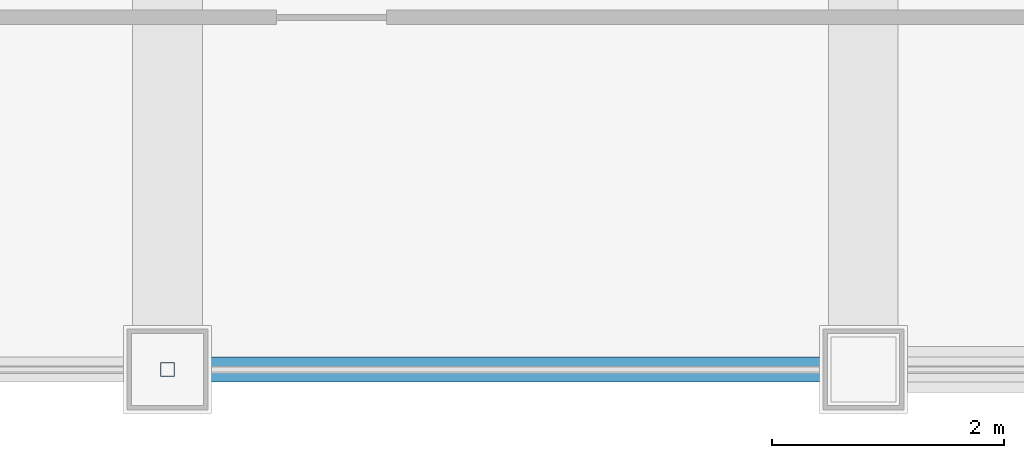
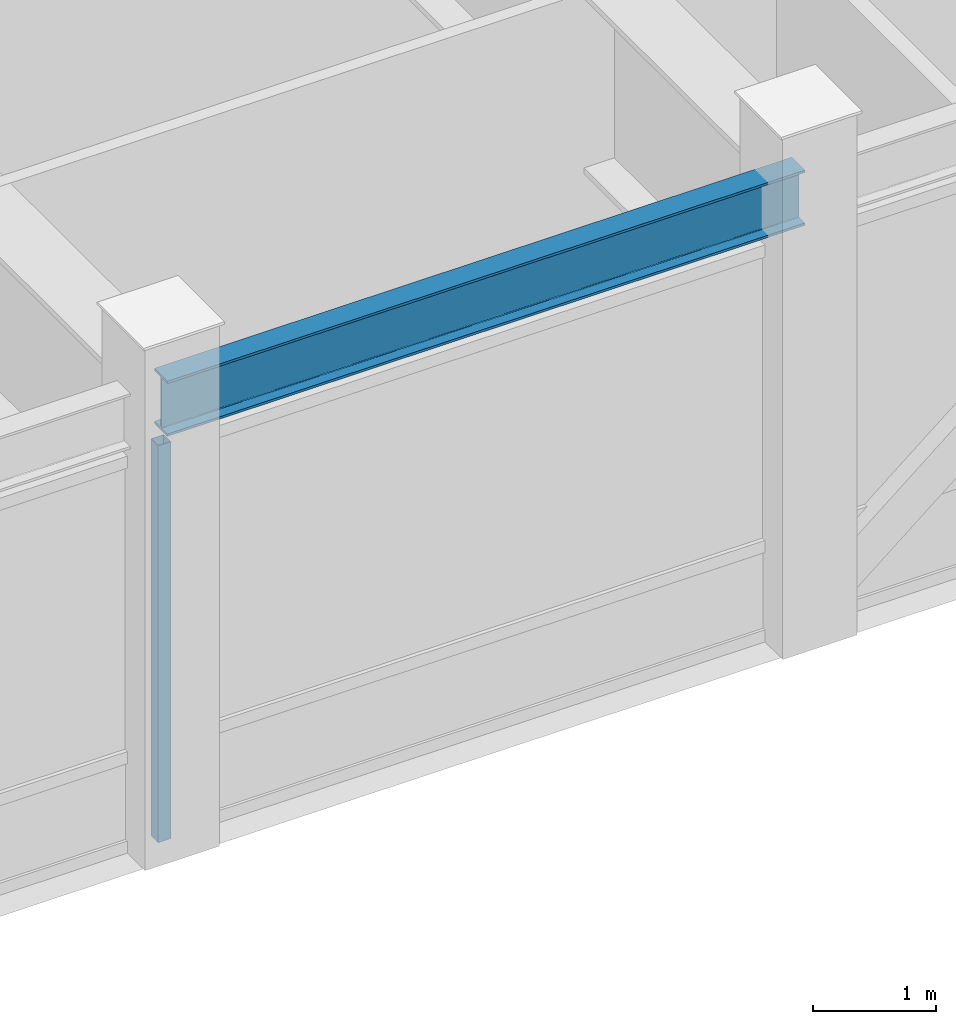
# One storey, part 4 of 29: 1 beam, 1 member, 1 element without a shape of its own.
"""IFC4 building model written with IfcOpenShell, lengths in metres."""

from ifc_helpers import new_model, si_unit, direction, frame, origin, origin_2d, place, context, subcontext, project, spatial, hollow_rectangle, i_section, extrude, source, transform, mapped, material, material_profile, profile_set, type_object, element, aggregate, save


model = new_model("IFC4")

# Units and contexts
model_context = context("Model", 3, precision=1e-05, world=origin(), true_north=direction((0.0, 1.0)))
body_context = subcontext(model_context, "Body", "Model", "MODEL_VIEW")
ifc_project = project(units=[si_unit("LENGTHUNIT", "METRE"), si_unit("AREAUNIT", "SQUARE_METRE"), si_unit("VOLUMEUNIT", "CUBIC_METRE"), si_unit("PLANEANGLEUNIT", "RADIAN"), si_unit("MASSUNIT", "GRAM", prefix="KILO")], contexts=[model_context])

# Site, building, storey
site_placement = place(None, origin())
site = spatial("IfcSite", under=ifc_project, at=site_placement, CompositionType="ELEMENT")
building_placement = place(site_placement, origin())
building = spatial("IfcBuilding", under=site, at=building_placement, Name="Khorayat Bourse Tower", CompositionType="ELEMENT")
storey_placement = place(building_placement, frame((0.0, 0.0, 370.300048828125)))
storey = spatial("IfcBuildingStorey", under=building, at=storey_placement, Name="L88", CompositionType="ELEMENT", Elevation=370.300048828125)

# Beam
ifc_material_1 = material(Name="Steel ASTM A992 Grade 50", Category="steel")
ifc_material_profile_1 = material_profile(ifc_material_1, i_section(OverallWidth=0.214111328125, OverallDepth=0.549072265625, WebThickness=0.0146484375, FlangeThickness=0.023681640625, FilletRadius=0.013916015625, at=origin_2d()), Name="W530X138")
ifc_profile_set_1 = profile_set([ifc_material_profile_1], Name="Steel ASTM A992 Grade 50")
beam_type = type_object("IfcBeamType", Name="BM-SPAN-530", PredefinedType="SPANDREL", material=ifc_profile_set_1)
shared_shape_1 = source(origin(), body_context, "Body", "SweptSolid", [
    extrude(i_section(OverallWidth=0.214111328125, OverallDepth=0.549072265625, WebThickness=0.0146484375, FlangeThickness=0.023681640625, FilletRadius=0.013916015625, at=origin_2d()), origin(), (0.0, 0.0, 1.0), 6.0),
])
beam_placement = place(storey_placement, frame((0.0, -26.0, 4.325439453125), z_axis=(1.0, 0.0, 0.0), x_axis=(0.0, 1.0, 0.0)))
element("IfcBeam", 1, at=beam_placement, inside=storey, type_object=beam_type, Name="L88 BM-SPAN-530 BM-L88-SPN-027", PredefinedType="SPANDREL", context=body_context, shape_type="MappedRepresentation", body=[
    mapped(shared_shape_1, transform((0.0, 0.0, 0.0), scale=1.0)),
])

# Curtain wall, member
ifc_material_2 = material(Name="Aluminium EN AW-6063 T6", Category="aluminium")
curtain_wall_type = type_object("IfcCurtainWallType", Name="CW-SYS-04", PredefinedType="NOTDEFINED", material=ifc_material_2)
curtain_wall_placement = place(storey_placement, origin())
curtain_wall = element("IfcCurtainWall", 2, at=curtain_wall_placement, inside=storey, type_object=curtain_wall_type, Name="L88 Curtain Wall CW-L88-S1", PredefinedType="NOTDEFINED")
ifc_material_profile_2 = material_profile(ifc_material_2, hollow_rectangle(XDim=0.1201171875, YDim=0.1201171875, WallThickness=0.0048828125, at=origin_2d()), Name="ALU 120x120x5")
ifc_profile_set_2 = profile_set([ifc_material_profile_2], Name="Aluminium EN AW-6063 T6")
member_type = type_object("IfcMemberType", Name="CWM-VERT-120", PredefinedType="MULLION", material=ifc_profile_set_2)
shared_shape_2 = source(origin(), body_context, "Body", "SweptSolid", [
    extrude(hollow_rectangle(XDim=0.1201171875, YDim=0.1201171875, WallThickness=0.0048828125, at=origin_2d()), origin(), (0.0, 0.0, 1.0), 3.949951171875),
])
member_placement = place(storey_placement, frame((0.0, -26.0, 0.0), z_axis=(0.0, 0.0, 1.0), x_axis=(0.0, 1.0, 0.0)))
member = element("IfcMember", 3, at=member_placement, type_object=member_type, Name="CW-L88-S1 Vertical Mullion 2", PredefinedType="MULLION", context=body_context, shape_type="MappedRepresentation", body=[
    mapped(shared_shape_2, transform((0.0, 0.0, 0.0), scale=1.0)),
])
aggregate(curtain_wall, [member])

save(model, "model.ifc")
